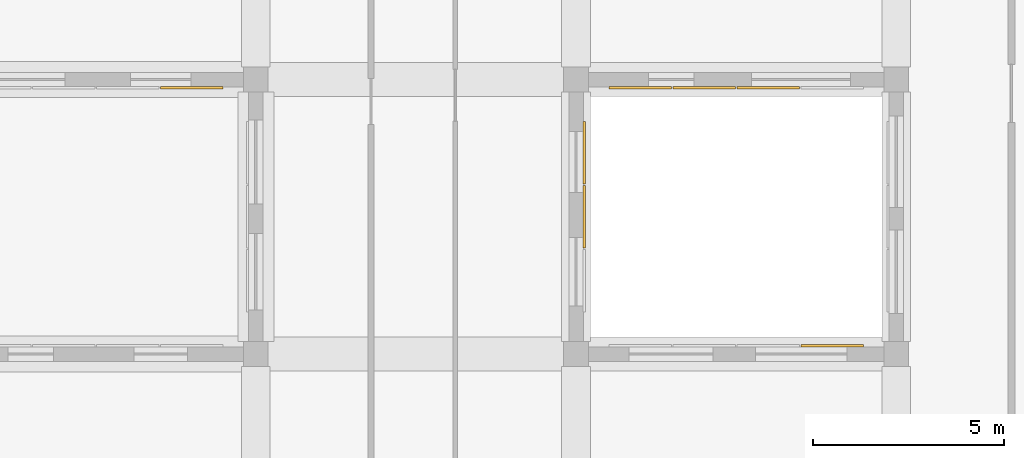
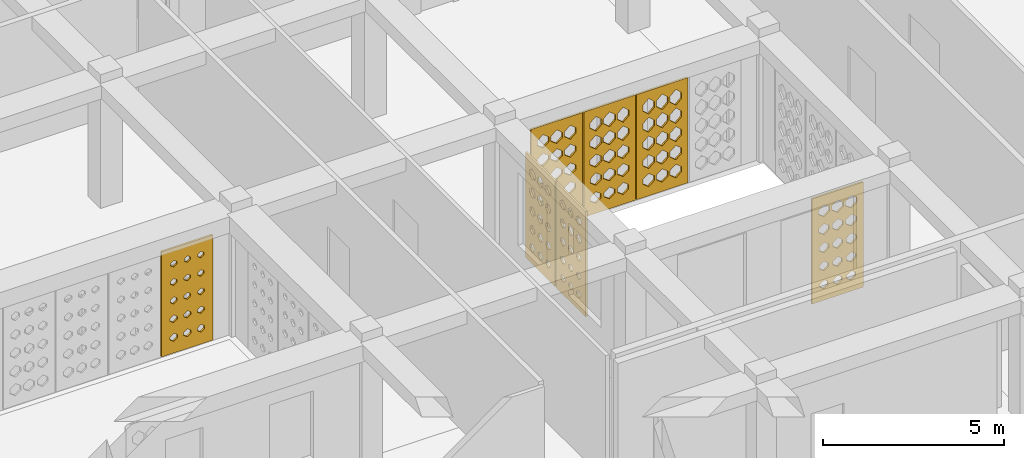
# One storey, part 33 of 47: 7 coverings.
"""IFC4 building model written with IfcOpenShell, lengths in metres."""

from ifc_helpers import new_model, si_unit, derived_unit, direction, frame, origin, place, context, subcontext, project, spatial, polyline, outline, extrude, material, layer, layer_set, type_object, element, save


model = new_model("IFC4")

# Units and contexts
model_context = context("Model", 3, precision=1e-05, world=origin(), true_north=direction((0.0, 1.0)))
body_context = subcontext(model_context, "Body", "Model", "MODEL_VIEW")
ifc_project = project(units=[si_unit("LENGTHUNIT", "METRE"), si_unit("AREAUNIT", "SQUARE_METRE"), si_unit("VOLUMEUNIT", "CUBIC_METRE"), si_unit("PLANEANGLEUNIT", "RADIAN"), si_unit("MASSUNIT", "GRAM", prefix="KILO"), derived_unit("THERMALTRANSMITTANCEUNIT", [(si_unit("POWERUNIT", "WATT"), 1), (si_unit("LENGTHUNIT", "METRE"), -2), (si_unit("THERMODYNAMICTEMPERATUREUNIT", "KELVIN"), -1)])], contexts=[model_context])

# Site, building, storey
site_placement = place(None, origin())
site = spatial("IfcSite", under=ifc_project, at=site_placement, CompositionType="ELEMENT")
building_placement = place(site_placement, origin())
building = spatial("IfcBuilding", under=site, at=building_placement, Name="Veybourne Emporium", CompositionType="ELEMENT")
storey_placement = place(building_placement, frame((0.0, 0.0, 23.39990234375)))
storey = spatial("IfcBuildingStorey", under=building, at=storey_placement, Name="L05", CompositionType="ELEMENT", Elevation=23.39990234375)

# Coverings
ifc_material = material(Name="Warm-White Perforated Aluminium Screen Alloy", Category="aluminium")
ifc_layer_1 = layer(ifc_material, 0.06005859375)
ifc_layer_set_1 = layer_set([ifc_layer_1], Name="Warm-White Perforated Aluminium Screen Alloy")
covering_type_1 = type_object("IfcCoveringType", Name="WaveScreen_SCR-01", PredefinedType="CLADDING", material=ifc_layer_set_1)
covering_1_placement = place(storey_placement, frame((42.248046875, 54.0, 1.830078125), z_axis=(-1.0, 0.0, 0.0), x_axis=(0.0, -1.0, 0.0)))
element("IfcCovering", 1, at=covering_1_placement, inside=storey, type_object=covering_type_1, Name="L05 wave-perforated aluminium screen SCR-01 (21.2)", PredefinedType="CLADDING", context=body_context, shape_type="SweptSolid", body=[
    extrude(outline(polyline([(-0.81982421875, -1.77001953125), (0.81982421875, -1.77001953125), (0.81982421875, 1.77001953125), (-0.81982421875, 1.77001953125), (-0.81982421875, -1.77001953125)]), holes=[polyline([(-0.433349609375, -1.11767578125), (-0.3232421875, -1.196044921875), (-0.3232421875, -1.283935546875), (-0.433349609375, -1.3623046875), (-0.54345703125, -1.283935546875), (-0.54345703125, -1.196044921875), (-0.433349609375, -1.11767578125)]), polyline([(-0.433349609375, -0.4892578125), (-0.31640625, -0.572998046875), (-0.31640625, -0.6669921875), (-0.433349609375, -0.750732421875), (-0.55029296875, -0.6669921875), (-0.55029296875, -0.572998046875), (-0.433349609375, -0.4892578125)]), polyline([(-0.433349609375, 0.14111328125), (-0.307861328125, 0.05078125), (-0.307861328125, -0.05078125), (-0.433349609375, -0.14111328125), (-0.558837890625, -0.05078125), (-0.558837890625, 0.05078125), (-0.433349609375, 0.14111328125)]), polyline([(-0.433349609375, 0.773193359375), (-0.298095703125, 0.675048828125), (-0.298095703125, 0.56494140625), (-0.433349609375, 0.466796875), (-0.568603515625, 0.56494140625), (-0.568603515625, 0.675048828125), (-0.433349609375, 0.773193359375)]), polyline([(-0.433349609375, 1.40625), (-0.287353515625, 1.2998046875), (-0.287353515625, 1.18017578125), (-0.433349609375, 1.07373046875), (-0.579345703125, 1.18017578125), (-0.579345703125, 1.2998046875), (-0.433349609375, 1.40625)]), polyline([(0.0, -1.120849609375), (0.107421875, -1.197021484375), (0.107421875, -1.282958984375), (0.0, -1.359130859375), (-0.107421875, -1.282958984375), (-0.107421875, -1.197021484375), (0.0, -1.120849609375)]), polyline([(0.0, -0.493408203125), (0.11376953125, -0.574462890625), (0.11376953125, -0.66552734375), (0.0, -0.74658203125), (-0.11376953125, -0.66552734375), (-0.11376953125, -0.574462890625), (0.0, -0.493408203125)]), polyline([(0.0, 0.13623046875), (0.12158203125, 0.049072265625), (0.12158203125, -0.049072265625), (0.0, -0.13623046875), (-0.12158203125, -0.049072265625), (-0.12158203125, 0.049072265625), (0.0, 0.13623046875)]), polyline([(0.0, 0.767578125), (0.130859375, 0.673095703125), (0.130859375, 0.56689453125), (0.0, 0.472412109375), (-0.130859375, 0.56689453125), (-0.130859375, 0.673095703125), (0.0, 0.767578125)]), polyline([(0.0, 1.400146484375), (0.14111328125, 1.297607421875), (0.14111328125, 1.182373046875), (0.0, 1.079833984375), (-0.14111328125, 1.182373046875), (-0.14111328125, 1.297607421875), (0.0, 1.400146484375)]), polyline([(0.433349609375, -1.12353515625), (0.53857421875, -1.197998046875), (0.53857421875, -1.281982421875), (0.433349609375, -1.3564453125), (0.328125, -1.281982421875), (0.328125, -1.197998046875), (0.433349609375, -1.12353515625)]), polyline([(0.433349609375, -0.4970703125), (0.5439453125, -0.57568359375), (0.5439453125, -0.664306640625), (0.433349609375, -0.742919921875), (0.32275390625, -0.664306640625), (0.32275390625, -0.57568359375), (0.433349609375, -0.4970703125)]), polyline([(0.433349609375, 0.1318359375), (0.55126953125, 0.04736328125), (0.55126953125, -0.04736328125), (0.433349609375, -0.1318359375), (0.3154296875, -0.04736328125), (0.3154296875, 0.04736328125), (0.433349609375, 0.1318359375)]), polyline([(0.433349609375, 0.76220703125), (0.559814453125, 0.671142578125), (0.559814453125, 0.56884765625), (0.433349609375, 0.477783203125), (0.306884765625, 0.56884765625), (0.306884765625, 0.671142578125), (0.433349609375, 0.76220703125)]), polyline([(0.433349609375, 1.394287109375), (0.569580078125, 1.295654296875), (0.569580078125, 1.184326171875), (0.433349609375, 1.085693359375), (0.297119140625, 1.184326171875), (0.297119140625, 1.295654296875), (0.433349609375, 1.394287109375)])]), origin(), (0.0, 0.0, 1.0), 0.06005859375),
])
covering_2_placement = place(storey_placement, frame((47.0400390625, 57.35205078125, 1.830078125), z_axis=(0.0, 1.0, 0.0), x_axis=(-1.0, 0.0, 0.0)))
element("IfcCovering", 2, at=covering_2_placement, inside=storey, type_object=covering_type_1, Name="L05 wave-perforated aluminium screen SCR-01 (33.2)", PredefinedType="CLADDING", context=body_context, shape_type="SweptSolid", body=[
    extrude(outline(polyline([(-0.81982421875, -1.77001953125), (0.81982421875, -1.77001953125), (0.81982421875, 1.77001953125), (-0.81982421875, 1.77001953125), (-0.81982421875, -1.77001953125)]), holes=[polyline([(-0.433349609375, -1.010986328125), (-0.2470703125, -1.15771484375), (-0.2470703125, -1.322509765625), (-0.433349609375, -1.468994140625), (-0.61962890625, -1.322509765625), (-0.61962890625, -1.15771484375), (-0.433349609375, -1.010986328125)]), polyline([(-0.433349609375, -0.37890625), (-0.2470703125, -0.533203125), (-0.2470703125, -0.706787109375), (-0.433349609375, -0.861083984375), (-0.61962890625, -0.706787109375), (-0.61962890625, -0.533203125), (-0.433349609375, -0.37890625)]), polyline([(-0.433349609375, 0.251953125), (-0.2470703125, 0.0908203125), (-0.2470703125, -0.0908203125), (-0.433349609375, -0.251953125), (-0.61962890625, -0.0908203125), (-0.61962890625, 0.0908203125), (-0.433349609375, 0.251953125)]), polyline([(-0.433349609375, 0.881103515625), (-0.2470703125, 0.714111328125), (-0.2470703125, 0.52587890625), (-0.433349609375, 0.35888671875), (-0.61962890625, 0.52587890625), (-0.61962890625, 0.714111328125), (-0.433349609375, 0.881103515625)]), polyline([(-0.433349609375, 1.506591796875), (-0.2470703125, 1.3359375), (-0.2470703125, 1.14404296875), (-0.433349609375, 0.973388671875), (-0.61962890625, 1.14404296875), (-0.61962890625, 1.3359375), (-0.433349609375, 1.506591796875)]), polyline([(0.0, -1.016845703125), (0.186279296875, -1.15966796875), (0.186279296875, -1.3203125), (0.0, -1.463134765625), (-0.186279296875, -1.3203125), (-0.186279296875, -1.15966796875), (0.0, -1.016845703125)]), polyline([(0.0, -0.384033203125), (0.186279296875, -0.53515625), (0.186279296875, -0.704833984375), (0.0, -0.85595703125), (-0.186279296875, -0.704833984375), (-0.186279296875, -0.53515625), (0.0, -0.384033203125)]), polyline([(0.0, 0.247314453125), (0.186279296875, 0.089111328125), (0.186279296875, -0.089111328125), (0.0, -0.247314453125), (-0.186279296875, -0.089111328125), (-0.186279296875, 0.089111328125), (0.0, 0.247314453125)]), polyline([(0.0, 0.877197265625), (0.186279296875, 0.712646484375), (0.186279296875, 0.52734375), (0.0, 0.36279296875), (-0.186279296875, 0.52734375), (-0.186279296875, 0.712646484375), (0.0, 0.877197265625)]), polyline([(0.0, 1.505126953125), (0.186279296875, 1.33544921875), (0.186279296875, 1.14453125), (0.0, 0.974853515625), (-0.186279296875, 1.14453125), (-0.186279296875, 1.33544921875), (0.0, 1.505126953125)]), polyline([(0.433349609375, -1.02294921875), (0.61962890625, -1.161865234375), (0.61962890625, -1.318115234375), (0.433349609375, -1.45703125), (0.2470703125, -1.318115234375), (0.2470703125, -1.161865234375), (0.433349609375, -1.02294921875)]), polyline([(0.433349609375, -0.3896484375), (0.61962890625, -0.537109375), (0.61962890625, -0.702880859375), (0.433349609375, -0.850341796875), (0.2470703125, -0.702880859375), (0.2470703125, -0.537109375), (0.433349609375, -0.3896484375)]), polyline([(0.433349609375, 0.242431640625), (0.61962890625, 0.08740234375), (0.61962890625, -0.08740234375), (0.433349609375, -0.242431640625), (0.2470703125, -0.08740234375), (0.2470703125, 0.08740234375), (0.433349609375, 0.242431640625)]), polyline([(0.433349609375, 0.873046875), (0.61962890625, 0.711181640625), (0.61962890625, 0.52880859375), (0.433349609375, 0.366943359375), (0.2470703125, 0.52880859375), (0.2470703125, 0.711181640625), (0.433349609375, 0.873046875)]), polyline([(0.433349609375, 1.501708984375), (0.61962890625, 1.334228515625), (0.61962890625, 1.145751953125), (0.433349609375, 0.978271484375), (0.2470703125, 1.145751953125), (0.2470703125, 1.334228515625), (0.433349609375, 1.501708984375)])]), origin(), (0.0, 0.0, 1.0), 0.06005859375),
])
ifc_layer_2 = layer(ifc_material, 0.06005859375)
ifc_layer_set_2 = layer_set([ifc_layer_2], Name="Warm-White Perforated Aluminium Screen Alloy")
covering_type_2 = type_object("IfcCoveringType", Name="WaveScreen_SCR-02", PredefinedType="CLADDING", material=ifc_layer_set_2)
covering_3_placement = place(storey_placement, frame((48.719970703125, 50.64794921875, 1.830078125), z_axis=(0.0, -1.0, 0.0), x_axis=(1.0, 0.0, 0.0)))
element("IfcCovering", 3, at=covering_3_placement, inside=storey, type_object=covering_type_2, Name="L05 wave-perforated aluminium screen SCR-02 (32.4)", PredefinedType="CLADDING", context=body_context, shape_type="SweptSolid", body=[
    extrude(outline(polyline([(-0.81982421875, -1.77001953125), (0.81982421875, -1.77001953125), (0.81982421875, 1.77001953125), (-0.81982421875, 1.77001953125), (-0.81982421875, -1.77001953125)]), holes=[polyline([(-0.433349609375, -1.094970703125), (-0.3046875, -1.187744140625), (-0.3046875, -1.292236328125), (-0.433349609375, -1.385009765625), (-0.56201171875, -1.292236328125), (-0.56201171875, -1.187744140625), (-0.433349609375, -1.094970703125)]), polyline([(-0.433349609375, -0.462646484375), (-0.29443359375, -0.563232421875), (-0.29443359375, -0.6767578125), (-0.433349609375, -0.77734375), (-0.572021484375, -0.6767578125), (-0.572021484375, -0.563232421875), (-0.433349609375, -0.462646484375)]), polyline([(-0.433349609375, 0.1708984375), (-0.283447265625, 0.0615234375), (-0.283447265625, -0.0615234375), (-0.433349609375, -0.1708984375), (-0.5830078125, -0.0615234375), (-0.5830078125, 0.0615234375), (-0.433349609375, 0.1708984375)]), polyline([(-0.433349609375, 0.804931640625), (-0.27197265625, 0.6865234375), (-0.27197265625, 0.553466796875), (-0.433349609375, 0.43505859375), (-0.594482421875, 0.553466796875), (-0.594482421875, 0.6865234375), (-0.433349609375, 0.804931640625)]), polyline([(-0.433349609375, 1.439208984375), (-0.26025390625, 1.311767578125), (-0.26025390625, 1.168212890625), (-0.433349609375, 1.040771484375), (-0.606201171875, 1.168212890625), (-0.606201171875, 1.311767578125), (-0.433349609375, 1.439208984375)]), polyline([(0.0, -1.089599609375), (0.133056640625, -1.185791015625), (0.133056640625, -1.294189453125), (0.0, -1.390380859375), (-0.133056640625, -1.294189453125), (-0.133056640625, -1.185791015625), (0.0, -1.089599609375)]), polyline([(0.0, -0.45654296875), (0.143798828125, -0.561279296875), (0.143798828125, -0.6787109375), (0.0, -0.783447265625), (-0.143798828125, -0.6787109375), (-0.143798828125, -0.561279296875), (0.0, -0.45654296875)]), polyline([(0.0, 0.177001953125), (0.15478515625, 0.063720703125), (0.15478515625, -0.063720703125), (0.0, -0.177001953125), (-0.15478515625, -0.063720703125), (-0.15478515625, 0.063720703125), (0.0, 0.177001953125)]), polyline([(0.0, 0.811279296875), (0.16650390625, 0.68896484375), (0.16650390625, 0.551025390625), (0.0, 0.4287109375), (-0.16650390625, 0.551025390625), (-0.16650390625, 0.68896484375), (0.0, 0.811279296875)]), polyline([(0.0, 1.445556640625), (0.17822265625, 1.31396484375), (0.17822265625, 1.166015625), (0.0, 1.034423828125), (-0.17822265625, 1.166015625), (-0.17822265625, 1.31396484375), (0.0, 1.445556640625)]), polyline([(0.433349609375, -1.083984375), (0.571044921875, -1.183837890625), (0.571044921875, -1.296142578125), (0.433349609375, -1.39599609375), (0.295654296875, -1.296142578125), (0.295654296875, -1.183837890625), (0.433349609375, -1.083984375)]), polyline([(0.433349609375, -0.450439453125), (0.58203125, -0.55908203125), (0.58203125, -0.680908203125), (0.433349609375, -0.78955078125), (0.28466796875, -0.680908203125), (0.28466796875, -0.55908203125), (0.433349609375, -0.450439453125)]), polyline([(0.433349609375, 0.18359375), (0.593505859375, 0.066162109375), (0.593505859375, -0.066162109375), (0.433349609375, -0.18359375), (0.273193359375, -0.066162109375), (0.273193359375, 0.066162109375), (0.433349609375, 0.18359375)]), polyline([(0.433349609375, 0.81787109375), (0.605224609375, 0.691162109375), (0.605224609375, 0.548828125), (0.433349609375, 0.422119140625), (0.261474609375, 0.548828125), (0.261474609375, 0.691162109375), (0.433349609375, 0.81787109375)]), polyline([(0.433349609375, 1.451904296875), (0.61669921875, 1.31640625), (0.61669921875, 1.163818359375), (0.433349609375, 1.028076171875), (0.25, 1.163818359375), (0.25, 1.31640625), (0.433349609375, 1.451904296875)])]), origin(), (0.0, 0.0, 1.0), 0.06005859375),
])
covering_4_placement = place(storey_placement, frame((45.360107421875, 57.35205078125, 1.830078125), z_axis=(0.0, 1.0, 0.0), x_axis=(-1.0, 0.0, 0.0)))
element("IfcCovering", 4, at=covering_4_placement, inside=storey, type_object=covering_type_2, Name="L05 wave-perforated aluminium screen SCR-02 (33.3)", PredefinedType="CLADDING", context=body_context, shape_type="SweptSolid", body=[
    extrude(outline(polyline([(-0.81982421875, -1.77001953125), (0.81982421875, -1.77001953125), (0.81982421875, 1.77001953125), (-0.81982421875, 1.77001953125), (-0.81982421875, -1.77001953125)]), holes=[polyline([(-0.433349609375, -1.03466796875), (-0.25537109375, -1.166015625), (-0.25537109375, -1.31396484375), (-0.433349609375, -1.4453125), (-0.611328125, -1.31396484375), (-0.611328125, -1.166015625), (-0.433349609375, -1.03466796875)]), polyline([(-0.433349609375, -0.40087890625), (-0.2470703125, -0.541015625), (-0.2470703125, -0.698974609375), (-0.433349609375, -0.839111328125), (-0.61962890625, -0.698974609375), (-0.61962890625, -0.541015625), (-0.433349609375, -0.40087890625)]), polyline([(-0.433349609375, 0.232421875), (-0.2470703125, 0.08349609375), (-0.2470703125, -0.08349609375), (-0.433349609375, -0.232421875), (-0.61962890625, -0.08349609375), (-0.61962890625, 0.08349609375), (-0.433349609375, 0.232421875)]), polyline([(-0.433349609375, 0.8642578125), (-0.2470703125, 0.7080078125), (-0.2470703125, 0.531982421875), (-0.433349609375, 0.375732421875), (-0.61962890625, 0.531982421875), (-0.61962890625, 0.7080078125), (-0.433349609375, 0.8642578125)]), polyline([(-0.433349609375, 1.494384765625), (-0.2470703125, 1.33154296875), (-0.2470703125, 1.1484375), (-0.433349609375, 0.985595703125), (-0.61962890625, 1.1484375), (-0.61962890625, 1.33154296875), (-0.433349609375, 1.494384765625)]), polyline([(0.0, -1.041015625), (0.1728515625, -1.16845703125), (0.1728515625, -1.3115234375), (0.0, -1.43896484375), (-0.1728515625, -1.3115234375), (-0.1728515625, -1.16845703125), (0.0, -1.041015625)]), polyline([(0.0, -0.406982421875), (0.184326171875, -0.543212890625), (0.184326171875, -0.69677734375), (0.0, -0.8330078125), (-0.184326171875, -0.69677734375), (-0.184326171875, -0.543212890625), (0.0, -0.406982421875)]), polyline([(0.0, 0.2265625), (0.186279296875, 0.08154296875), (0.186279296875, -0.08154296875), (0.0, -0.2265625), (-0.186279296875, -0.08154296875), (-0.186279296875, 0.08154296875), (0.0, 0.2265625)]), polyline([(0.0, 0.85888671875), (0.186279296875, 0.7060546875), (0.186279296875, 0.533935546875), (0.0, 0.381103515625), (-0.186279296875, 0.533935546875), (-0.186279296875, 0.7060546875), (0.0, 0.85888671875)]), polyline([(0.0, 1.489990234375), (0.186279296875, 1.330078125), (0.186279296875, 1.14990234375), (0.0, 0.989990234375), (-0.186279296875, 1.14990234375), (-0.186279296875, 1.330078125), (0.0, 1.489990234375)]), polyline([(0.433349609375, -1.047607421875), (0.600830078125, -1.170654296875), (0.600830078125, -1.309326171875), (0.433349609375, -1.4326171875), (0.265869140625, -1.309326171875), (0.265869140625, -1.170654296875), (0.433349609375, -1.047607421875)]), polyline([(0.433349609375, -0.4130859375), (0.612548828125, -0.545654296875), (0.612548828125, -0.6943359375), (0.433349609375, -0.826904296875), (0.254150390625, -0.6943359375), (0.254150390625, -0.545654296875), (0.433349609375, -0.4130859375)]), polyline([(0.433349609375, 0.220703125), (0.61962890625, 0.079345703125), (0.61962890625, -0.079345703125), (0.433349609375, -0.220703125), (0.2470703125, -0.079345703125), (0.2470703125, 0.079345703125), (0.433349609375, 0.220703125)]), polyline([(0.433349609375, 0.853515625), (0.61962890625, 0.7041015625), (0.61962890625, 0.535888671875), (0.433349609375, 0.386474609375), (0.2470703125, 0.535888671875), (0.2470703125, 0.7041015625), (0.433349609375, 0.853515625)]), polyline([(0.433349609375, 1.4853515625), (0.61962890625, 1.328369140625), (0.61962890625, 1.151611328125), (0.433349609375, 0.99462890625), (0.2470703125, 1.151611328125), (0.2470703125, 1.328369140625), (0.433349609375, 1.4853515625)])]), origin(), (0.0, 0.0, 1.0), 0.06005859375),
])
ifc_layer_3 = layer(ifc_material, 0.06005859375)
ifc_layer_set_3 = layer_set([ifc_layer_3], Name="Warm-White Perforated Aluminium Screen Alloy")
covering_type_3 = type_object("IfcCoveringType", Name="WaveScreen_SCR-03", PredefinedType="CLADDING", material=ifc_layer_set_3)
covering_5_placement = place(storey_placement, frame((31.919921875, 57.35205078125, 1.830078125), z_axis=(0.0, 1.0, 0.0), x_axis=(-1.0, 0.0, 0.0)))
element("IfcCovering", 5, at=covering_5_placement, inside=storey, type_object=covering_type_3, Name="L05 wave-perforated aluminium screen SCR-03 (16.1)", PredefinedType="CLADDING", context=body_context, shape_type="SweptSolid", body=[
    extrude(outline(polyline([(-0.81982421875, -1.77001953125), (0.81982421875, -1.77001953125), (0.81982421875, 1.77001953125), (-0.81982421875, 1.77001953125), (-0.81982421875, -1.77001953125)]), holes=[polyline([(-0.433349609375, -1.111083984375), (-0.31787109375, -1.193603515625), (-0.31787109375, -1.286376953125), (-0.433349609375, -1.368896484375), (-0.548828125, -1.286376953125), (-0.548828125, -1.193603515625), (-0.433349609375, -1.111083984375)]), polyline([(-0.433349609375, -0.4990234375), (-0.324462890625, -0.576416015625), (-0.324462890625, -0.66357421875), (-0.433349609375, -0.740966796875), (-0.542236328125, -0.66357421875), (-0.542236328125, -0.576416015625), (-0.433349609375, -0.4990234375)]), polyline([(-0.433349609375, 0.114990234375), (-0.329345703125, 0.04150390625), (-0.329345703125, -0.04150390625), (-0.433349609375, -0.114990234375), (-0.537353515625, -0.04150390625), (-0.537353515625, 0.04150390625), (-0.433349609375, 0.114990234375)]), polyline([(-0.433349609375, 0.731201171875), (-0.332275390625, 0.659912109375), (-0.332275390625, 0.580078125), (-0.433349609375, 0.5087890625), (-0.5341796875, 0.580078125), (-0.5341796875, 0.659912109375), (-0.433349609375, 0.731201171875)]), polyline([(-0.433349609375, 1.35009765625), (-0.333251953125, 1.279541015625), (-0.333251953125, 1.200439453125), (-0.433349609375, 1.1298828125), (-0.533203125, 1.200439453125), (-0.533203125, 1.279541015625), (-0.433349609375, 1.35009765625)]), polyline([(0.0, -1.106689453125), (0.119140625, -1.19189453125), (0.119140625, -1.2880859375), (0.0, -1.373291015625), (-0.119140625, -1.2880859375), (-0.119140625, -1.19189453125), (0.0, -1.106689453125)]), polyline([(0.0, -0.49560546875), (0.11181640625, -0.5751953125), (0.11181640625, -0.664794921875), (0.0, -0.744384765625), (-0.11181640625, -0.664794921875), (-0.11181640625, -0.5751953125), (0.0, -0.49560546875)]), polyline([(0.0, 0.1171875), (0.10595703125, 0.042236328125), (0.10595703125, -0.042236328125), (0.0, -0.1171875), (-0.10595703125, -0.042236328125), (-0.10595703125, 0.042236328125), (0.0, 0.1171875)]), polyline([(0.0, 0.732666015625), (0.10205078125, 0.660400390625), (0.10205078125, 0.57958984375), (0.0, 0.50732421875), (-0.10205078125, 0.57958984375), (-0.10205078125, 0.660400390625), (0.0, 0.732666015625)]), polyline([(0.0, 1.35009765625), (0.10009765625, 1.27978515625), (0.10009765625, 1.2001953125), (0.0, 1.1298828125), (-0.10009765625, 1.2001953125), (-0.10009765625, 1.27978515625), (0.0, 1.35009765625)]), polyline([(0.433349609375, -1.10205078125), (0.55615234375, -1.190185546875), (0.55615234375, -1.289794921875), (0.433349609375, -1.3779296875), (0.310546875, -1.289794921875), (0.310546875, -1.190185546875), (0.433349609375, -1.10205078125)]), polyline([(0.433349609375, -0.491943359375), (0.548095703125, -0.573974609375), (0.548095703125, -0.666015625), (0.433349609375, -0.748046875), (0.318603515625, -0.666015625), (0.318603515625, -0.573974609375), (0.433349609375, -0.491943359375)]), polyline([(0.433349609375, 0.1201171875), (0.54150390625, 0.043212890625), (0.54150390625, -0.043212890625), (0.433349609375, -0.1201171875), (0.324951171875, -0.043212890625), (0.324951171875, 0.043212890625), (0.433349609375, 0.1201171875)]), polyline([(0.433349609375, 0.734375), (0.536865234375, 0.6611328125), (0.536865234375, 0.578857421875), (0.433349609375, 0.505615234375), (0.32958984375, 0.578857421875), (0.32958984375, 0.6611328125), (0.433349609375, 0.734375)]), polyline([(0.433349609375, 1.35107421875), (0.5341796875, 1.280029296875), (0.5341796875, 1.199951171875), (0.433349609375, 1.12890625), (0.33251953125, 1.199951171875), (0.33251953125, 1.280029296875), (0.433349609375, 1.35107421875)])]), origin(), (0.0, 0.0, 1.0), 0.06005859375),
])
covering_6_placement = place(storey_placement, frame((43.679931640625, 57.35205078125, 1.830078125), z_axis=(0.0, 1.0, 0.0), x_axis=(-1.0, 0.0, 0.0)))
element("IfcCovering", 6, at=covering_6_placement, inside=storey, type_object=covering_type_3, Name="L05 wave-perforated aluminium screen SCR-03 (33.4)", PredefinedType="CLADDING", context=body_context, shape_type="SweptSolid", body=[
    extrude(outline(polyline([(-0.81982421875, -1.77001953125), (0.81982421875, -1.77001953125), (0.81982421875, 1.77001953125), (-0.81982421875, 1.77001953125), (-0.81982421875, -1.77001953125)]), holes=[polyline([(-0.433349609375, -1.0595703125), (-0.275634765625, -1.175048828125), (-0.275634765625, -1.304931640625), (-0.433349609375, -1.42041015625), (-0.591064453125, -1.304931640625), (-0.591064453125, -1.175048828125), (-0.433349609375, -1.0595703125)]), polyline([(-0.433349609375, -0.42529296875), (-0.263916015625, -0.5498046875), (-0.263916015625, -0.690185546875), (-0.433349609375, -0.814697265625), (-0.602783203125, -0.690185546875), (-0.602783203125, -0.5498046875), (-0.433349609375, -0.42529296875)]), polyline([(-0.433349609375, 0.208984375), (-0.25244140625, 0.0751953125), (-0.25244140625, -0.0751953125), (-0.433349609375, -0.208984375), (-0.6142578125, -0.0751953125), (-0.6142578125, 0.0751953125), (-0.433349609375, 0.208984375)]), polyline([(-0.433349609375, 0.8427734375), (-0.2470703125, 0.7001953125), (-0.2470703125, 0.539794921875), (-0.433349609375, 0.397216796875), (-0.61962890625, 0.539794921875), (-0.61962890625, 0.7001953125), (-0.433349609375, 0.8427734375)]), polyline([(-0.433349609375, 1.4755859375), (-0.2470703125, 1.32470703125), (-0.2470703125, 1.1552734375), (-0.433349609375, 1.00439453125), (-0.61962890625, 1.1552734375), (-0.61962890625, 1.32470703125), (-0.433349609375, 1.4755859375)]), polyline([(0.0, -1.06591796875), (0.152587890625, -1.17724609375), (0.152587890625, -1.302734375), (0.0, -1.4140625), (-0.152587890625, -1.302734375), (-0.152587890625, -1.17724609375), (0.0, -1.06591796875)]), polyline([(0.0, -0.431640625), (0.1640625, -0.55224609375), (0.1640625, -0.687744140625), (0.0, -0.808349609375), (-0.1640625, -0.687744140625), (-0.1640625, -0.55224609375), (0.0, -0.431640625)]), polyline([(0.0, 0.20263671875), (0.17578125, 0.072998046875), (0.17578125, -0.072998046875), (0.0, -0.20263671875), (-0.17578125, -0.072998046875), (-0.17578125, 0.072998046875), (0.0, 0.20263671875)]), polyline([(0.0, 0.836669921875), (0.186279296875, 0.697998046875), (0.186279296875, 0.5419921875), (0.0, 0.4033203125), (-0.186279296875, 0.5419921875), (-0.186279296875, 0.697998046875), (0.0, 0.836669921875)]), polyline([(0.0, 1.469970703125), (0.186279296875, 1.32275390625), (0.186279296875, 1.1572265625), (0.0, 1.010009765625), (-0.186279296875, 1.1572265625), (-0.186279296875, 1.32275390625), (0.0, 1.469970703125)]), polyline([(0.433349609375, -1.072021484375), (0.580810546875, -1.179443359375), (0.580810546875, -1.300537109375), (0.433349609375, -1.407958984375), (0.285888671875, -1.300537109375), (0.285888671875, -1.179443359375), (0.433349609375, -1.072021484375)]), polyline([(0.433349609375, -0.43798828125), (0.59228515625, -0.554443359375), (0.59228515625, -0.685546875), (0.433349609375, -0.802001953125), (0.2744140625, -0.685546875), (0.2744140625, -0.554443359375), (0.433349609375, -0.43798828125)]), polyline([(0.433349609375, 0.1962890625), (0.60400390625, 0.070556640625), (0.60400390625, -0.070556640625), (0.433349609375, -0.1962890625), (0.2626953125, -0.070556640625), (0.2626953125, 0.070556640625), (0.433349609375, 0.1962890625)]), polyline([(0.433349609375, 0.830322265625), (0.615478515625, 0.69580078125), (0.615478515625, 0.544189453125), (0.433349609375, 0.40966796875), (0.251220703125, 0.544189453125), (0.251220703125, 0.69580078125), (0.433349609375, 0.830322265625)]), polyline([(0.433349609375, 1.464111328125), (0.61962890625, 1.320556640625), (0.61962890625, 1.159423828125), (0.433349609375, 1.01611328125), (0.2470703125, 1.159423828125), (0.2470703125, 1.320556640625), (0.433349609375, 1.464111328125)])]), origin(), (0.0, 0.0, 1.0), 0.06005859375),
])
ifc_layer_4 = layer(ifc_material, 0.06005859375)
ifc_layer_set_4 = layer_set([ifc_layer_4], Name="Warm-White Perforated Aluminium Screen Alloy")
covering_type_4 = type_object("IfcCoveringType", Name="WaveScreen_SCR-04", PredefinedType="CLADDING", material=ifc_layer_set_4)
covering_7_placement = place(storey_placement, frame((42.248046875, 55.679931640625, 1.830078125), z_axis=(-1.0, 0.0, 0.0), x_axis=(0.0, -1.0, 0.0)))
element("IfcCovering", 7, at=covering_7_placement, inside=storey, type_object=covering_type_4, Name="L05 wave-perforated aluminium screen SCR-04 (21.1)", PredefinedType="CLADDING", context=body_context, shape_type="SweptSolid", body=[
    extrude(outline(polyline([(-0.81982421875, -1.77001953125), (0.81982421875, -1.77001953125), (0.81982421875, 1.77001953125), (-0.81982421875, 1.77001953125), (-0.81982421875, -1.77001953125)]), holes=[polyline([(-0.433349609375, -1.1015625), (-0.31005859375, -1.190185546875), (-0.31005859375, -1.289794921875), (-0.433349609375, -1.37841796875), (-0.556396484375, -1.289794921875), (-0.556396484375, -1.190185546875), (-0.433349609375, -1.1015625)]), polyline([(-0.433349609375, -0.47021484375), (-0.30078125, -0.56591796875), (-0.30078125, -0.674072265625), (-0.433349609375, -0.77001953125), (-0.56591796875, -0.674072265625), (-0.56591796875, -0.56591796875), (-0.433349609375, -0.47021484375)]), polyline([(-0.433349609375, 0.162841796875), (-0.290283203125, 0.05859375), (-0.290283203125, -0.05859375), (-0.433349609375, -0.162841796875), (-0.576416015625, -0.05859375), (-0.576416015625, 0.05859375), (-0.433349609375, 0.162841796875)]), polyline([(-0.433349609375, 0.79638671875), (-0.27880859375, 0.68359375), (-0.27880859375, 0.556396484375), (-0.433349609375, 0.443603515625), (-0.587646484375, 0.556396484375), (-0.587646484375, 0.68359375), (-0.433349609375, 0.79638671875)]), polyline([(-0.433349609375, 1.4306640625), (-0.267333984375, 1.30859375), (-0.267333984375, 1.17138671875), (-0.433349609375, 1.04931640625), (-0.599365234375, 1.17138671875), (-0.599365234375, 1.30859375), (-0.433349609375, 1.4306640625)]), polyline([(0.0, -1.106201171875), (0.119384765625, -1.19189453125), (0.119384765625, -1.2880859375), (0.0, -1.373779296875), (-0.119384765625, -1.2880859375), (-0.119384765625, -1.19189453125), (0.0, -1.106201171875)]), polyline([(0.0, -0.4755859375), (0.12841796875, -0.568115234375), (0.12841796875, -0.672119140625), (0.0, -0.764404296875), (-0.12841796875, -0.672119140625), (-0.12841796875, -0.568115234375), (0.0, -0.4755859375)]), polyline([(0.0, 0.156982421875), (0.13818359375, 0.056396484375), (0.13818359375, -0.056396484375), (0.0, -0.156982421875), (-0.13818359375, -0.056396484375), (-0.13818359375, 0.056396484375), (0.0, 0.156982421875)]), polyline([(0.0, 0.790283203125), (0.1494140625, 0.681396484375), (0.1494140625, 0.55859375), (0.0, 0.44970703125), (-0.1494140625, 0.55859375), (-0.1494140625, 0.681396484375), (0.0, 0.790283203125)]), polyline([(0.0, 1.42431640625), (0.160888671875, 1.306396484375), (0.160888671875, 1.173583984375), (0.0, 1.0556640625), (-0.160888671875, 1.173583984375), (-0.160888671875, 1.306396484375), (0.0, 1.42431640625)]), polyline([(0.433349609375, -1.110595703125), (0.54931640625, -1.193359375), (0.54931640625, -1.28662109375), (0.433349609375, -1.369384765625), (0.3173828125, -1.28662109375), (0.3173828125, -1.193359375), (0.433349609375, -1.110595703125)]), polyline([(0.433349609375, -0.48046875), (0.557373046875, -0.56982421875), (0.557373046875, -0.670166015625), (0.433349609375, -0.759521484375), (0.30908203125, -0.670166015625), (0.30908203125, -0.56982421875), (0.433349609375, -0.48046875)]), polyline([(0.433349609375, 0.151123046875), (0.56689453125, 0.054443359375), (0.56689453125, -0.054443359375), (0.433349609375, -0.151123046875), (0.299560546875, -0.054443359375), (0.299560546875, 0.054443359375), (0.433349609375, 0.151123046875)]), polyline([(0.433349609375, 0.7841796875), (0.57763671875, 0.67919921875), (0.57763671875, 0.560791015625), (0.433349609375, 0.455810546875), (0.2890625, 0.560791015625), (0.2890625, 0.67919921875), (0.433349609375, 0.7841796875)]), polyline([(0.433349609375, 1.41796875), (0.5888671875, 1.30419921875), (0.5888671875, 1.17578125), (0.433349609375, 1.06201171875), (0.27783203125, 1.17578125), (0.27783203125, 1.30419921875), (0.433349609375, 1.41796875)])]), origin(), (0.0, 0.0, 1.0), 0.06005859375),
])

save(model, "model.ifc")
